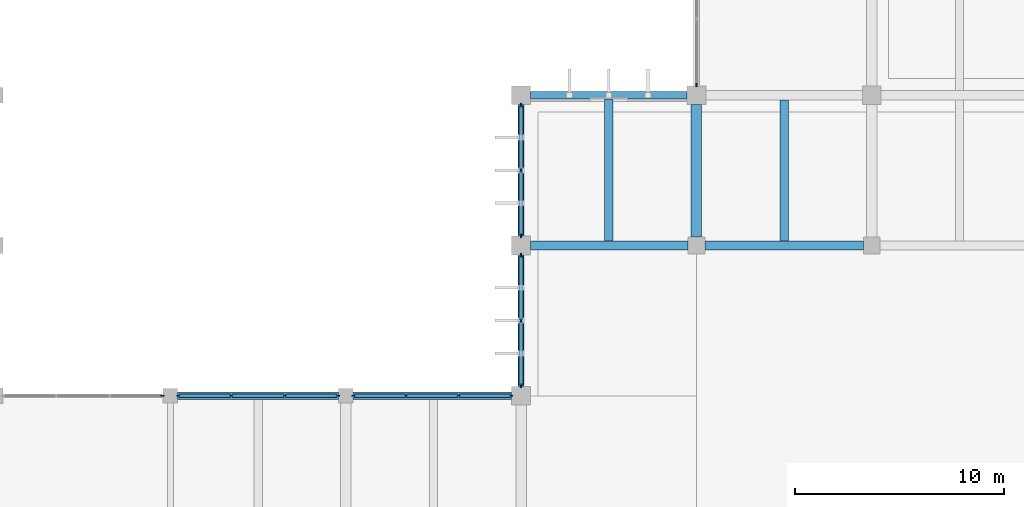
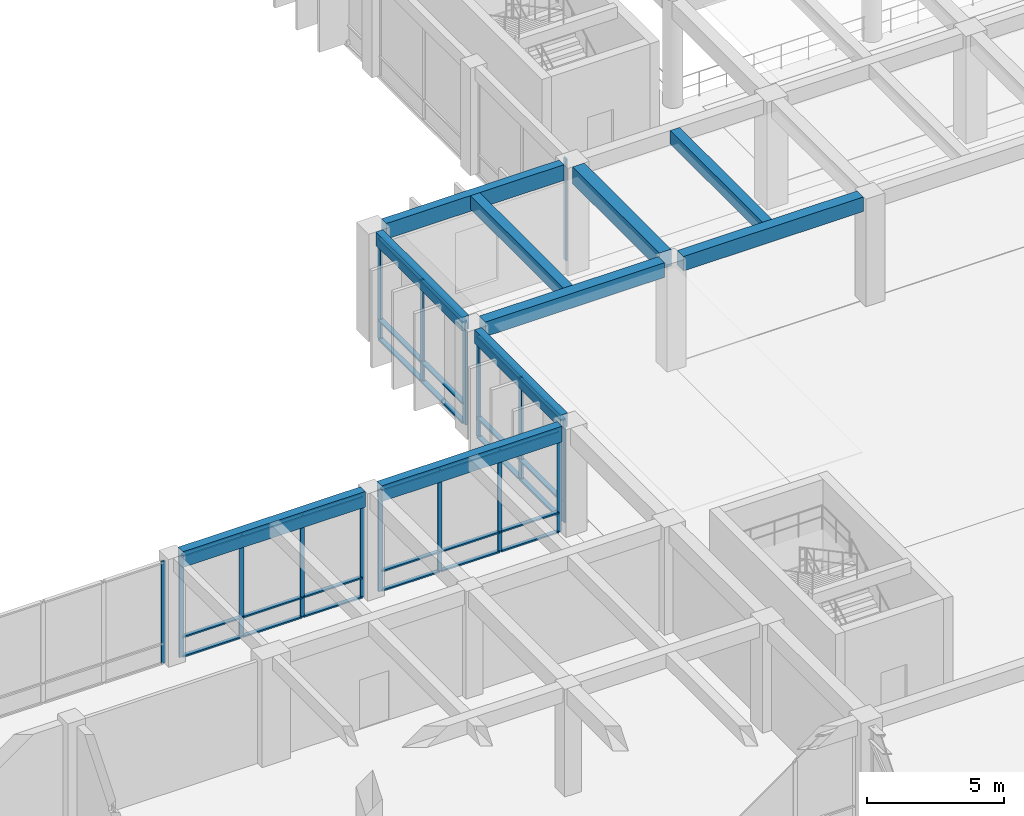
# One storey, part 9 of 51: 46 members, 10 beams, 6 elements without a shape of their own.
"""IFC4 building model written with IfcOpenShell, lengths in metres."""

from ifc_helpers import new_model, si_unit, direction, frame, origin, origin_2d, place, context, subcontext, project, spatial, rectangle, extrude, material, material_profile, profile_set, type_object, element, aggregate, save


model = new_model("IFC4")

# Units and contexts
model_context = context("Model", 3, precision=1e-05, world=origin(), true_north=direction((0.0, 1.0)))
body_context = subcontext(model_context, "Body", "Model", "MODEL_VIEW")
ifc_project = project(units=[si_unit("LENGTHUNIT", "METRE"), si_unit("AREAUNIT", "SQUARE_METRE"), si_unit("VOLUMEUNIT", "CUBIC_METRE"), si_unit("PLANEANGLEUNIT", "RADIAN"), si_unit("MASSUNIT", "GRAM", prefix="KILO")], contexts=[model_context])

# Site, building, storey
site_placement = place(None, origin())
site = spatial("IfcSite", under=ifc_project, at=site_placement, CompositionType="ELEMENT")
building_placement = place(site_placement, origin())
building = spatial("IfcBuilding", under=site, at=building_placement, Name="Kenerak Square Central Library", CompositionType="ELEMENT")
storey_placement = place(building_placement, frame((0.0, 0.0, 9.60009765625)))
storey = spatial("IfcBuildingStorey", under=building, at=storey_placement, Name="L02", CompositionType="ELEMENT", Elevation=9.60009765625)

# Beams
ifc_material_1 = material(Name="Concrete C40/50", Category="concrete")
ifc_material_profile_1 = material_profile(ifc_material_1, rectangle(XDim=0.300048828125, YDim=0.60009765625, at=origin_2d()), Name="RC 300x600")
ifc_profile_set_1 = profile_set([ifc_material_profile_1], Name="Concrete C40/50")
beam_type_1 = type_object("IfcBeamType", Name="Courtyard Spandrel Beam SP-02 RC 300x600 C40/50", PredefinedType="SPANDREL", material=ifc_profile_set_1)
beam_1_placement = place(storey_placement, frame((58.39990234375, 38.85009765625, 4.5), z_axis=(0.0, 1.0, 0.0), x_axis=(-1.0, 0.0, 0.0)))
element("IfcBeam", 1, at=beam_1_placement, inside=storey, type_object=beam_type_1, Name="Beam SP-02 L02 1282", PredefinedType="SPANDREL", context=body_context, shape_type="SweptSolid", body=[
    extrude(rectangle(XDim=0.300048828125, YDim=0.60009765625, at=origin_2d()), origin(), (0.0, 0.0, 1.0), 6.2998046875),
])
beam_2_placement = place(storey_placement, frame((58.39990234375, 46.050048828125, 4.5), z_axis=(0.0, 1.0, 0.0), x_axis=(-1.0, 0.0, 0.0)))
element("IfcBeam", 2, at=beam_2_placement, inside=storey, type_object=beam_type_1, Name="Beam SP-02 L02 1283", PredefinedType="SPANDREL", context=body_context, shape_type="SweptSolid", body=[
    extrude(rectangle(XDim=0.300048828125, YDim=0.60009765625, at=origin_2d()), origin(), (0.0, 0.0, 1.0), 6.300048828125),
])

# Curtain wall, member
ifc_material_2 = material(Name="Anodised aluminium and solar-control low-E glazing", Category="aluminium")
curtain_wall_type_1 = type_object("IfcCurtainWallType", Name="Curtain Wall CW-V6-76x45 7675x4550", PredefinedType="USERDEFINED", material=ifc_material_2)
curtain_wall_1_placement = place(storey_placement, origin())
curtain_wall_1 = element("IfcCurtainWall", 3, at=curtain_wall_1_placement, inside=storey, type_object=curtain_wall_type_1, Name="Curtain Wall CW-V6-76x45 L02 0072", ObjectType="CURTAIN WALL", PredefinedType="USERDEFINED")
ifc_material_3 = material(Name="Anodised aluminium 6063-T6", Category="aluminium")
ifc_material_profile_2 = material_profile(ifc_material_3, rectangle(XDim=0.06494140625, YDim=0.179931640625, at=origin_2d()), Name="AL MULLION 65x180")
ifc_profile_set_2 = profile_set([ifc_material_profile_2], Name="Anodised aluminium 6063-T6")
member_type_1 = type_object("IfcMemberType", Name="Curtain Mullion CM-01 65x180", PredefinedType="MULLION", material=ifc_profile_set_2)
member_1_placement = place(storey_placement, frame((41.217529296875, 38.39990234375, 0.0), z_axis=(0.0, 0.0, 1.0), x_axis=(0.0, 1.0, 0.0)))
member_1 = element("IfcMember", 4, at=member_1_placement, type_object=member_type_1, Name="CW-V6-76x45 Mullion 4", PredefinedType="MULLION", context=body_context, shape_type="SweptSolid", body=[
    extrude(rectangle(XDim=0.06494140625, YDim=0.179931640625, at=origin_2d()), origin(), (0.0, 0.0, 1.0), 4.5498046875),
])
aggregate(curtain_wall_1, [member_1])

# Curtain wall, members
curtain_wall_type_2 = type_object("IfcCurtainWallType", Name="Curtain Wall CW-V6-77x45 7700x4550", PredefinedType="USERDEFINED", material=ifc_material_2)
curtain_wall_2_placement = place(storey_placement, origin())
curtain_wall_2 = element("IfcCurtainWall", 5, at=curtain_wall_2_placement, inside=storey, type_object=curtain_wall_type_2, Name="Curtain Wall CW-V6-77x45 L02 0073", ObjectType="CURTAIN WALL", PredefinedType="USERDEFINED")
member_2_placement = place(storey_placement, frame((41.982421875, 38.39990234375, 0.0), z_axis=(0.0, 0.0, 1.0), x_axis=(0.0, 1.0, 0.0)))
member_2 = element("IfcMember", 6, at=member_2_placement, type_object=member_type_1, Name="CW-V6-77x45 Mullion 1", PredefinedType="MULLION", context=body_context, shape_type="SweptSolid", body=[
    extrude(rectangle(XDim=0.06494140625, YDim=0.179931640625, at=origin_2d()), origin(), (0.0, 0.0, 1.0), 4.5498046875),
])
member_3_placement = place(storey_placement, frame((44.5166015625, 38.39990234375, 0.0), z_axis=(0.0, 0.0, 1.0), x_axis=(0.0, 1.0, 0.0)))
member_3 = element("IfcMember", 7, at=member_3_placement, type_object=member_type_1, Name="CW-V6-77x45 Mullion 2", PredefinedType="MULLION", context=body_context, shape_type="SweptSolid", body=[
    extrude(rectangle(XDim=0.06494140625, YDim=0.179931640625, at=origin_2d()), origin(), (0.0, 0.0, 1.0), 4.5498046875),
])
member_4_placement = place(storey_placement, frame((47.083251953125, 38.39990234375, 0.0), z_axis=(0.0, 0.0, 1.0), x_axis=(0.0, 1.0, 0.0)))
member_4 = element("IfcMember", 8, at=member_4_placement, type_object=member_type_1, Name="CW-V6-77x45 Mullion 3", PredefinedType="MULLION", context=body_context, shape_type="SweptSolid", body=[
    extrude(rectangle(XDim=0.06494140625, YDim=0.179931640625, at=origin_2d()), origin(), (0.0, 0.0, 1.0), 4.5498046875),
])
member_5_placement = place(storey_placement, frame((49.617431640625, 38.39990234375, 0.0), z_axis=(0.0, 0.0, 1.0), x_axis=(0.0, 1.0, 0.0)))
member_5 = element("IfcMember", 9, at=member_5_placement, type_object=member_type_1, Name="CW-V6-77x45 Mullion 4", PredefinedType="MULLION", context=body_context, shape_type="SweptSolid", body=[
    extrude(rectangle(XDim=0.06494140625, YDim=0.179931640625, at=origin_2d()), origin(), (0.0, 0.0, 1.0), 4.5498046875),
])

curtain_wall_type_3 = type_object("IfcCurtainWallType", Name="Curtain Wall CW-V6-76x45 7600x4550", PredefinedType="USERDEFINED", material=ifc_material_2)
curtain_wall_3_placement = place(storey_placement, origin())
curtain_wall_3 = element("IfcCurtainWall", 10, at=curtain_wall_3_placement, inside=storey, type_object=curtain_wall_type_3, Name="Curtain Wall CW-V6-76x45 L02 0074", ObjectType="CURTAIN WALL", PredefinedType="USERDEFINED")
member_6_placement = place(storey_placement, frame((50.382568359375, 38.39990234375, 0.0), z_axis=(0.0, 0.0, 1.0), x_axis=(0.0, 1.0, 0.0)))
member_6 = element("IfcMember", 11, at=member_6_placement, type_object=member_type_1, Name="CW-V6-76x45 Mullion 1", PredefinedType="MULLION", context=body_context, shape_type="SweptSolid", body=[
    extrude(rectangle(XDim=0.06494140625, YDim=0.179931640625, at=origin_2d()), origin(), (0.0, 0.0, 1.0), 4.5498046875),
])
member_7_placement = place(storey_placement, frame((52.88330078125, 38.39990234375, 0.0), z_axis=(0.0, 0.0, 1.0), x_axis=(0.0, 1.0, 0.0)))
member_7 = element("IfcMember", 12, at=member_7_placement, type_object=member_type_1, Name="CW-V6-76x45 Mullion 2", PredefinedType="MULLION", context=body_context, shape_type="SweptSolid", body=[
    extrude(rectangle(XDim=0.06494140625, YDim=0.179931640625, at=origin_2d()), origin(), (0.0, 0.0, 1.0), 4.5498046875),
])
member_8_placement = place(storey_placement, frame((55.416748046875, 38.39990234375, 0.0), z_axis=(0.0, 0.0, 1.0), x_axis=(0.0, 1.0, 0.0)))
member_8 = element("IfcMember", 13, at=member_8_placement, type_object=member_type_1, Name="CW-V6-76x45 Mullion 3", PredefinedType="MULLION", context=body_context, shape_type="SweptSolid", body=[
    extrude(rectangle(XDim=0.06494140625, YDim=0.179931640625, at=origin_2d()), origin(), (0.0, 0.0, 1.0), 4.5498046875),
])
member_9_placement = place(storey_placement, frame((57.91748046875, 38.39990234375, 0.0), z_axis=(0.0, 0.0, 1.0), x_axis=(0.0, 1.0, 0.0)))
member_9 = element("IfcMember", 14, at=member_9_placement, type_object=member_type_1, Name="CW-V6-76x45 Mullion 4", PredefinedType="MULLION", context=body_context, shape_type="SweptSolid", body=[
    extrude(rectangle(XDim=0.06494140625, YDim=0.179931640625, at=origin_2d()), origin(), (0.0, 0.0, 1.0), 4.5498046875),
])

# Curtain wall, member
curtain_wall_type_4 = type_object("IfcCurtainWallType", Name="Curtain Wall CW-V4-64x45 6400x4550", PredefinedType="USERDEFINED", material=ifc_material_2)
curtain_wall_4_placement = place(storey_placement, origin())
curtain_wall_4 = element("IfcCurtainWall", 15, at=curtain_wall_4_placement, inside=storey, type_object=curtain_wall_type_4, Name="Curtain Wall CW-V4-64x45 L02 0077", ObjectType="CURTAIN WALL", PredefinedType="USERDEFINED")
member_10_placement = place(storey_placement, frame((66.800048828125, 53.282470703125, 0.0), z_axis=(0.0, 0.0, 1.0), x_axis=(-1.0, 0.0, 0.0)))
member_10 = element("IfcMember", 16, at=member_10_placement, type_object=member_type_1, Name="CW-V4-64x45 Mullion 1", PredefinedType="MULLION", context=body_context, shape_type="SweptSolid", body=[
    extrude(rectangle(XDim=0.06494140625, YDim=0.179931640625, at=origin_2d()), origin(), (0.0, 0.0, 1.0), 4.5498046875),
])
aggregate(curtain_wall_4, [member_10])

# Curtain wall, members
curtain_wall_type_5 = type_object("IfcCurtainWallType", Name="Curtain Wall CW-V1-63x45 6300x4550", PredefinedType="USERDEFINED", material=ifc_material_2)
curtain_wall_5_placement = place(storey_placement, origin())
curtain_wall_5 = element("IfcCurtainWall", 17, at=curtain_wall_5_placement, inside=storey, type_object=curtain_wall_type_5, Name="Curtain Wall CW-V1-63x45 L02 0075", ObjectType="CURTAIN WALL", PredefinedType="USERDEFINED")
ifc_material_profile_3 = material_profile(ifc_material_3, rectangle(XDim=0.074951171875, YDim=0.219970703125, at=origin_2d()), Name="AL MULLION 75x220")
ifc_profile_set_3 = profile_set([ifc_material_profile_3], Name="Anodised aluminium 6063-T6")
member_type_2 = type_object("IfcMemberType", Name="Curtain Mullion CM-02 75x220", PredefinedType="MULLION", material=ifc_profile_set_3)
member_11_placement = place(storey_placement, frame((58.39990234375, 38.887451171875, 0.0), z_axis=(0.0, 0.0, 1.0), x_axis=(-1.0, 0.0, 0.0)))
member_11 = element("IfcMember", 18, at=member_11_placement, type_object=member_type_2, Name="CW-V1-63x45 Mullion 1", PredefinedType="MULLION", context=body_context, shape_type="SweptSolid", body=[
    extrude(rectangle(XDim=0.074951171875, YDim=0.219970703125, at=origin_2d()), origin(), (0.0, 0.0, 1.0), 4.5498046875),
])
member_12_placement = place(storey_placement, frame((58.39990234375, 42.0, 0.0), z_axis=(0.0, 0.0, 1.0), x_axis=(-1.0, 0.0, 0.0)))
member_12 = element("IfcMember", 19, at=member_12_placement, type_object=member_type_2, Name="CW-V1-63x45 Mullion 2", PredefinedType="MULLION", context=body_context, shape_type="SweptSolid", body=[
    extrude(rectangle(XDim=0.074951171875, YDim=0.219970703125, at=origin_2d()), origin(), (0.0, 0.0, 1.0), 4.5498046875),
])
member_13_placement = place(storey_placement, frame((58.39990234375, 45.112548828125, 0.0), z_axis=(0.0, 0.0, 1.0), x_axis=(-1.0, 0.0, 0.0)))
member_13 = element("IfcMember", 20, at=member_13_placement, type_object=member_type_2, Name="CW-V1-63x45 Mullion 3", PredefinedType="MULLION", context=body_context, shape_type="SweptSolid", body=[
    extrude(rectangle(XDim=0.074951171875, YDim=0.219970703125, at=origin_2d()), origin(), (0.0, 0.0, 1.0), 4.5498046875),
])

curtain_wall_6_placement = place(storey_placement, origin())
curtain_wall_6 = element("IfcCurtainWall", 21, at=curtain_wall_6_placement, inside=storey, type_object=curtain_wall_type_5, Name="Curtain Wall CW-V1-63x45 L02 0076", ObjectType="CURTAIN WALL", PredefinedType="USERDEFINED")
member_14_placement = place(storey_placement, frame((58.39990234375, 46.08740234375, 0.0), z_axis=(0.0, 0.0, 1.0), x_axis=(-1.0, 0.0, 0.0)))
member_14 = element("IfcMember", 22, at=member_14_placement, type_object=member_type_2, Name="CW-V1-63x45 Mullion 1", PredefinedType="MULLION", context=body_context, shape_type="SweptSolid", body=[
    extrude(rectangle(XDim=0.074951171875, YDim=0.219970703125, at=origin_2d()), origin(), (0.0, 0.0, 1.0), 4.5498046875),
])
member_15_placement = place(storey_placement, frame((58.39990234375, 49.199951171875, 0.0), z_axis=(0.0, 0.0, 1.0), x_axis=(-1.0, 0.0, 0.0)))
member_15 = element("IfcMember", 23, at=member_15_placement, type_object=member_type_2, Name="CW-V1-63x45 Mullion 2", PredefinedType="MULLION", context=body_context, shape_type="SweptSolid", body=[
    extrude(rectangle(XDim=0.074951171875, YDim=0.219970703125, at=origin_2d()), origin(), (0.0, 0.0, 1.0), 4.5498046875),
])
member_16_placement = place(storey_placement, frame((58.39990234375, 52.3125, 0.0), z_axis=(0.0, 0.0, 1.0), x_axis=(-1.0, 0.0, 0.0)))
member_16 = element("IfcMember", 24, at=member_16_placement, type_object=member_type_2, Name="CW-V1-63x45 Mullion 3", PredefinedType="MULLION", context=body_context, shape_type="SweptSolid", body=[
    extrude(rectangle(XDim=0.074951171875, YDim=0.219970703125, at=origin_2d()), origin(), (0.0, 0.0, 1.0), 4.5498046875),
])

# Member
ifc_material_profile_4 = material_profile(ifc_material_3, rectangle(XDim=0.159912109375, YDim=0.06494140625, at=origin_2d()), Name="AL TRANSOM 160x65")
ifc_profile_set_4 = profile_set([ifc_material_profile_4], Name="Anodised aluminium 6063-T6")
member_type_3 = type_object("IfcMemberType", Name="Curtain Transom CT-11 160x65", PredefinedType="USERDEFINED", material=ifc_profile_set_4)
member_17_placement = place(storey_placement, frame((42.014892578125, 38.39990234375, 0.032470703125), z_axis=(1.0, 0.0, 0.0), x_axis=(0.0, 1.0, 0.0)))
member_17 = element("IfcMember", 25, at=member_17_placement, type_object=member_type_3, Name="CW-V6-77x45 Transom 1.1", ObjectType="TRANSOM", PredefinedType="USERDEFINED", context=body_context, shape_type="SweptSolid", body=[
    extrude(rectangle(XDim=0.159912109375, YDim=0.06494140625, at=origin_2d()), origin(), (0.0, 0.0, 1.0), 2.46923828125),
])

member_18_placement = place(storey_placement, frame((42.014892578125, 38.39990234375, 0.89990234375), z_axis=(1.0, 0.0, 0.0), x_axis=(0.0, 1.0, 0.0)))
member_18 = element("IfcMember", 26, at=member_18_placement, type_object=member_type_3, Name="CW-V6-77x45 Transom 1.2", ObjectType="TRANSOM", PredefinedType="USERDEFINED", context=body_context, shape_type="SweptSolid", body=[
    extrude(rectangle(XDim=0.159912109375, YDim=0.06494140625, at=origin_2d()), origin(), (0.0, 0.0, 1.0), 2.46923828125),
])

member_19_placement = place(storey_placement, frame((42.014892578125, 38.39990234375, 4.517333984375), z_axis=(1.0, 0.0, 0.0), x_axis=(0.0, 1.0, 0.0)))
member_19 = element("IfcMember", 27, at=member_19_placement, type_object=member_type_3, Name="CW-V6-77x45 Transom 1.3", ObjectType="TRANSOM", PredefinedType="USERDEFINED", context=body_context, shape_type="SweptSolid", body=[
    extrude(rectangle(XDim=0.159912109375, YDim=0.06494140625, at=origin_2d()), origin(), (0.0, 0.0, 1.0), 2.46923828125),
])

member_20_placement = place(storey_placement, frame((44.549072265625, 38.39990234375, 0.032470703125), z_axis=(1.0, 0.0, 0.0), x_axis=(0.0, 1.0, 0.0)))
member_20 = element("IfcMember", 28, at=member_20_placement, type_object=member_type_3, Name="CW-V6-77x45 Transom 2.1", ObjectType="TRANSOM", PredefinedType="USERDEFINED", context=body_context, shape_type="SweptSolid", body=[
    extrude(rectangle(XDim=0.159912109375, YDim=0.06494140625, at=origin_2d()), origin(), (0.0, 0.0, 1.0), 2.501708984375),
])

member_21_placement = place(storey_placement, frame((44.549072265625, 38.39990234375, 0.89990234375), z_axis=(1.0, 0.0, 0.0), x_axis=(0.0, 1.0, 0.0)))
member_21 = element("IfcMember", 29, at=member_21_placement, type_object=member_type_3, Name="CW-V6-77x45 Transom 2.2", ObjectType="TRANSOM", PredefinedType="USERDEFINED", context=body_context, shape_type="SweptSolid", body=[
    extrude(rectangle(XDim=0.159912109375, YDim=0.06494140625, at=origin_2d()), origin(), (0.0, 0.0, 1.0), 2.501708984375),
])

member_22_placement = place(storey_placement, frame((44.549072265625, 38.39990234375, 4.517333984375), z_axis=(1.0, 0.0, 0.0), x_axis=(0.0, 1.0, 0.0)))
member_22 = element("IfcMember", 30, at=member_22_placement, type_object=member_type_3, Name="CW-V6-77x45 Transom 2.3", ObjectType="TRANSOM", PredefinedType="USERDEFINED", context=body_context, shape_type="SweptSolid", body=[
    extrude(rectangle(XDim=0.159912109375, YDim=0.06494140625, at=origin_2d()), origin(), (0.0, 0.0, 1.0), 2.501708984375),
])

member_23_placement = place(storey_placement, frame((47.11572265625, 38.39990234375, 0.032470703125), z_axis=(1.0, 0.0, 0.0), x_axis=(0.0, 1.0, 0.0)))
member_23 = element("IfcMember", 31, at=member_23_placement, type_object=member_type_3, Name="CW-V6-77x45 Transom 3.1", ObjectType="TRANSOM", PredefinedType="USERDEFINED", context=body_context, shape_type="SweptSolid", body=[
    extrude(rectangle(XDim=0.159912109375, YDim=0.06494140625, at=origin_2d()), origin(), (0.0, 0.0, 1.0), 2.46923828125),
])

member_24_placement = place(storey_placement, frame((47.11572265625, 38.39990234375, 0.89990234375), z_axis=(1.0, 0.0, 0.0), x_axis=(0.0, 1.0, 0.0)))
member_24 = element("IfcMember", 32, at=member_24_placement, type_object=member_type_3, Name="CW-V6-77x45 Transom 3.2", ObjectType="TRANSOM", PredefinedType="USERDEFINED", context=body_context, shape_type="SweptSolid", body=[
    extrude(rectangle(XDim=0.159912109375, YDim=0.06494140625, at=origin_2d()), origin(), (0.0, 0.0, 1.0), 2.46923828125),
])

member_25_placement = place(storey_placement, frame((47.11572265625, 38.39990234375, 4.517333984375), z_axis=(1.0, 0.0, 0.0), x_axis=(0.0, 1.0, 0.0)))
member_25 = element("IfcMember", 33, at=member_25_placement, type_object=member_type_3, Name="CW-V6-77x45 Transom 3.3", ObjectType="TRANSOM", PredefinedType="USERDEFINED", context=body_context, shape_type="SweptSolid", body=[
    extrude(rectangle(XDim=0.159912109375, YDim=0.06494140625, at=origin_2d()), origin(), (0.0, 0.0, 1.0), 2.46923828125),
])

aggregate(curtain_wall_2, [member_2, member_3, member_4, member_5, member_17, member_18, member_19, member_20, member_21, member_22, member_23, member_24, member_25])

member_26_placement = place(storey_placement, frame((50.4150390625, 38.39990234375, 0.032470703125), z_axis=(1.0, 0.0, 0.0), x_axis=(0.0, 1.0, 0.0)))
member_26 = element("IfcMember", 34, at=member_26_placement, type_object=member_type_3, Name="CW-V6-76x45 Transom 1.1", ObjectType="TRANSOM", PredefinedType="USERDEFINED", context=body_context, shape_type="SweptSolid", body=[
    extrude(rectangle(XDim=0.159912109375, YDim=0.06494140625, at=origin_2d()), origin(), (0.0, 0.0, 1.0), 2.435791015625),
])

member_27_placement = place(storey_placement, frame((50.4150390625, 38.39990234375, 0.89990234375), z_axis=(1.0, 0.0, 0.0), x_axis=(0.0, 1.0, 0.0)))
member_27 = element("IfcMember", 35, at=member_27_placement, type_object=member_type_3, Name="CW-V6-76x45 Transom 1.2", ObjectType="TRANSOM", PredefinedType="USERDEFINED", context=body_context, shape_type="SweptSolid", body=[
    extrude(rectangle(XDim=0.159912109375, YDim=0.06494140625, at=origin_2d()), origin(), (0.0, 0.0, 1.0), 2.435791015625),
])

member_28_placement = place(storey_placement, frame((50.4150390625, 38.39990234375, 4.517333984375), z_axis=(1.0, 0.0, 0.0), x_axis=(0.0, 1.0, 0.0)))
member_28 = element("IfcMember", 36, at=member_28_placement, type_object=member_type_3, Name="CW-V6-76x45 Transom 1.3", ObjectType="TRANSOM", PredefinedType="USERDEFINED", context=body_context, shape_type="SweptSolid", body=[
    extrude(rectangle(XDim=0.159912109375, YDim=0.06494140625, at=origin_2d()), origin(), (0.0, 0.0, 1.0), 2.435791015625),
])

member_29_placement = place(storey_placement, frame((52.915771484375, 38.39990234375, 0.032470703125), z_axis=(1.0, 0.0, 0.0), x_axis=(0.0, 1.0, 0.0)))
member_29 = element("IfcMember", 37, at=member_29_placement, type_object=member_type_3, Name="CW-V6-76x45 Transom 2.1", ObjectType="TRANSOM", PredefinedType="USERDEFINED", context=body_context, shape_type="SweptSolid", body=[
    extrude(rectangle(XDim=0.159912109375, YDim=0.06494140625, at=origin_2d()), origin(), (0.0, 0.0, 1.0), 2.468505859375),
])

member_30_placement = place(storey_placement, frame((52.915771484375, 38.39990234375, 0.89990234375), z_axis=(1.0, 0.0, 0.0), x_axis=(0.0, 1.0, 0.0)))
member_30 = element("IfcMember", 38, at=member_30_placement, type_object=member_type_3, Name="CW-V6-76x45 Transom 2.2", ObjectType="TRANSOM", PredefinedType="USERDEFINED", context=body_context, shape_type="SweptSolid", body=[
    extrude(rectangle(XDim=0.159912109375, YDim=0.06494140625, at=origin_2d()), origin(), (0.0, 0.0, 1.0), 2.468505859375),
])

member_31_placement = place(storey_placement, frame((52.915771484375, 38.39990234375, 4.517333984375), z_axis=(1.0, 0.0, 0.0), x_axis=(0.0, 1.0, 0.0)))
member_31 = element("IfcMember", 39, at=member_31_placement, type_object=member_type_3, Name="CW-V6-76x45 Transom 2.3", ObjectType="TRANSOM", PredefinedType="USERDEFINED", context=body_context, shape_type="SweptSolid", body=[
    extrude(rectangle(XDim=0.159912109375, YDim=0.06494140625, at=origin_2d()), origin(), (0.0, 0.0, 1.0), 2.468505859375),
])

member_32_placement = place(storey_placement, frame((55.44921875, 38.39990234375, 0.032470703125), z_axis=(1.0, 0.0, 0.0), x_axis=(0.0, 1.0, 0.0)))
member_32 = element("IfcMember", 40, at=member_32_placement, type_object=member_type_3, Name="CW-V6-76x45 Transom 3.1", ObjectType="TRANSOM", PredefinedType="USERDEFINED", context=body_context, shape_type="SweptSolid", body=[
    extrude(rectangle(XDim=0.159912109375, YDim=0.06494140625, at=origin_2d()), origin(), (0.0, 0.0, 1.0), 2.435791015625),
])

member_33_placement = place(storey_placement, frame((55.44921875, 38.39990234375, 0.89990234375), z_axis=(1.0, 0.0, 0.0), x_axis=(0.0, 1.0, 0.0)))
member_33 = element("IfcMember", 41, at=member_33_placement, type_object=member_type_3, Name="CW-V6-76x45 Transom 3.2", ObjectType="TRANSOM", PredefinedType="USERDEFINED", context=body_context, shape_type="SweptSolid", body=[
    extrude(rectangle(XDim=0.159912109375, YDim=0.06494140625, at=origin_2d()), origin(), (0.0, 0.0, 1.0), 2.435791015625),
])

member_34_placement = place(storey_placement, frame((55.44921875, 38.39990234375, 4.517333984375), z_axis=(1.0, 0.0, 0.0), x_axis=(0.0, 1.0, 0.0)))
member_34 = element("IfcMember", 42, at=member_34_placement, type_object=member_type_3, Name="CW-V6-76x45 Transom 3.3", ObjectType="TRANSOM", PredefinedType="USERDEFINED", context=body_context, shape_type="SweptSolid", body=[
    extrude(rectangle(XDim=0.159912109375, YDim=0.06494140625, at=origin_2d()), origin(), (0.0, 0.0, 1.0), 2.435791015625),
])

aggregate(curtain_wall_3, [member_6, member_7, member_8, member_9, member_26, member_27, member_28, member_29, member_30, member_31, member_32, member_33, member_34])

ifc_material_profile_5 = material_profile(ifc_material_3, rectangle(XDim=0.199951171875, YDim=0.074951171875, at=origin_2d()), Name="AL TRANSOM 200x75")
ifc_profile_set_5 = profile_set([ifc_material_profile_5], Name="Anodised aluminium 6063-T6")
member_type_4 = type_object("IfcMemberType", Name="Curtain Transom CT-12 200x75", PredefinedType="USERDEFINED", material=ifc_profile_set_5)
member_35_placement = place(storey_placement, frame((58.39990234375, 38.925048828125, 0.037353515625), z_axis=(0.0, 1.0, 0.0), x_axis=(-1.0, 0.0, 0.0)))
member_35 = element("IfcMember", 43, at=member_35_placement, type_object=member_type_4, Name="CW-V1-63x45 Transom 1.1", ObjectType="TRANSOM", PredefinedType="USERDEFINED", context=body_context, shape_type="SweptSolid", body=[
    extrude(rectangle(XDim=0.199951171875, YDim=0.074951171875, at=origin_2d()), origin(), (0.0, 0.0, 1.0), 3.037353515625),
])

member_36_placement = place(storey_placement, frame((58.39990234375, 38.925048828125, 0.89990234375), z_axis=(0.0, 1.0, 0.0), x_axis=(-1.0, 0.0, 0.0)))
member_36 = element("IfcMember", 44, at=member_36_placement, type_object=member_type_4, Name="CW-V1-63x45 Transom 1.2", ObjectType="TRANSOM", PredefinedType="USERDEFINED", context=body_context, shape_type="SweptSolid", body=[
    extrude(rectangle(XDim=0.199951171875, YDim=0.074951171875, at=origin_2d()), origin(), (0.0, 0.0, 1.0), 3.037353515625),
])

member_37_placement = place(storey_placement, frame((58.39990234375, 38.925048828125, 4.512451171875), z_axis=(0.0, 1.0, 0.0), x_axis=(-1.0, 0.0, 0.0)))
member_37 = element("IfcMember", 45, at=member_37_placement, type_object=member_type_4, Name="CW-V1-63x45 Transom 1.3", ObjectType="TRANSOM", PredefinedType="USERDEFINED", context=body_context, shape_type="SweptSolid", body=[
    extrude(rectangle(XDim=0.199951171875, YDim=0.074951171875, at=origin_2d()), origin(), (0.0, 0.0, 1.0), 3.037353515625),
])

member_38_placement = place(storey_placement, frame((58.39990234375, 42.03759765625, 0.037353515625), z_axis=(0.0, 1.0, 0.0), x_axis=(-1.0, 0.0, 0.0)))
member_38 = element("IfcMember", 46, at=member_38_placement, type_object=member_type_4, Name="CW-V1-63x45 Transom 2.1", ObjectType="TRANSOM", PredefinedType="USERDEFINED", context=body_context, shape_type="SweptSolid", body=[
    extrude(rectangle(XDim=0.199951171875, YDim=0.074951171875, at=origin_2d()), origin(), (0.0, 0.0, 1.0), 3.037353515625),
])

member_39_placement = place(storey_placement, frame((58.39990234375, 42.03759765625, 0.89990234375), z_axis=(0.0, 1.0, 0.0), x_axis=(-1.0, 0.0, 0.0)))
member_39 = element("IfcMember", 47, at=member_39_placement, type_object=member_type_4, Name="CW-V1-63x45 Transom 2.2", ObjectType="TRANSOM", PredefinedType="USERDEFINED", context=body_context, shape_type="SweptSolid", body=[
    extrude(rectangle(XDim=0.199951171875, YDim=0.074951171875, at=origin_2d()), origin(), (0.0, 0.0, 1.0), 3.037353515625),
])

member_40_placement = place(storey_placement, frame((58.39990234375, 42.03759765625, 4.512451171875), z_axis=(0.0, 1.0, 0.0), x_axis=(-1.0, 0.0, 0.0)))
member_40 = element("IfcMember", 48, at=member_40_placement, type_object=member_type_4, Name="CW-V1-63x45 Transom 2.3", ObjectType="TRANSOM", PredefinedType="USERDEFINED", context=body_context, shape_type="SweptSolid", body=[
    extrude(rectangle(XDim=0.199951171875, YDim=0.074951171875, at=origin_2d()), origin(), (0.0, 0.0, 1.0), 3.037353515625),
])

aggregate(curtain_wall_5, [member_11, member_12, member_13, member_35, member_36, member_37, member_38, member_39, member_40])

member_41_placement = place(storey_placement, frame((58.39990234375, 46.125, 0.037353515625), z_axis=(0.0, 1.0, 0.0), x_axis=(-1.0, 0.0, 0.0)))
member_41 = element("IfcMember", 49, at=member_41_placement, type_object=member_type_4, Name="CW-V1-63x45 Transom 1.1", ObjectType="TRANSOM", PredefinedType="USERDEFINED", context=body_context, shape_type="SweptSolid", body=[
    extrude(rectangle(XDim=0.199951171875, YDim=0.074951171875, at=origin_2d()), origin(), (0.0, 0.0, 1.0), 3.03759765625),
])

member_42_placement = place(storey_placement, frame((58.39990234375, 46.125, 0.89990234375), z_axis=(0.0, 1.0, 0.0), x_axis=(-1.0, 0.0, 0.0)))
member_42 = element("IfcMember", 50, at=member_42_placement, type_object=member_type_4, Name="CW-V1-63x45 Transom 1.2", ObjectType="TRANSOM", PredefinedType="USERDEFINED", context=body_context, shape_type="SweptSolid", body=[
    extrude(rectangle(XDim=0.199951171875, YDim=0.074951171875, at=origin_2d()), origin(), (0.0, 0.0, 1.0), 3.03759765625),
])

member_43_placement = place(storey_placement, frame((58.39990234375, 46.125, 4.512451171875), z_axis=(0.0, 1.0, 0.0), x_axis=(-1.0, 0.0, 0.0)))
member_43 = element("IfcMember", 51, at=member_43_placement, type_object=member_type_4, Name="CW-V1-63x45 Transom 1.3", ObjectType="TRANSOM", PredefinedType="USERDEFINED", context=body_context, shape_type="SweptSolid", body=[
    extrude(rectangle(XDim=0.199951171875, YDim=0.074951171875, at=origin_2d()), origin(), (0.0, 0.0, 1.0), 3.03759765625),
])

member_44_placement = place(storey_placement, frame((58.39990234375, 49.237548828125, 0.037353515625), z_axis=(0.0, 1.0, 0.0), x_axis=(-1.0, 0.0, 0.0)))
member_44 = element("IfcMember", 52, at=member_44_placement, type_object=member_type_4, Name="CW-V1-63x45 Transom 2.1", ObjectType="TRANSOM", PredefinedType="USERDEFINED", context=body_context, shape_type="SweptSolid", body=[
    extrude(rectangle(XDim=0.199951171875, YDim=0.074951171875, at=origin_2d()), origin(), (0.0, 0.0, 1.0), 3.037353515625),
])

member_45_placement = place(storey_placement, frame((58.39990234375, 49.237548828125, 0.89990234375), z_axis=(0.0, 1.0, 0.0), x_axis=(-1.0, 0.0, 0.0)))
member_45 = element("IfcMember", 53, at=member_45_placement, type_object=member_type_4, Name="CW-V1-63x45 Transom 2.2", ObjectType="TRANSOM", PredefinedType="USERDEFINED", context=body_context, shape_type="SweptSolid", body=[
    extrude(rectangle(XDim=0.199951171875, YDim=0.074951171875, at=origin_2d()), origin(), (0.0, 0.0, 1.0), 3.037353515625),
])

member_46_placement = place(storey_placement, frame((58.39990234375, 49.237548828125, 4.512451171875), z_axis=(0.0, 1.0, 0.0), x_axis=(-1.0, 0.0, 0.0)))
member_46 = element("IfcMember", 54, at=member_46_placement, type_object=member_type_4, Name="CW-V1-63x45 Transom 2.3", ObjectType="TRANSOM", PredefinedType="USERDEFINED", context=body_context, shape_type="SweptSolid", body=[
    extrude(rectangle(XDim=0.199951171875, YDim=0.074951171875, at=origin_2d()), origin(), (0.0, 0.0, 1.0), 3.037353515625),
])

aggregate(curtain_wall_6, [member_14, member_15, member_16, member_41, member_42, member_43, member_44, member_45, member_46])

# Beams
ifc_material_profile_6 = material_profile(ifc_material_1, rectangle(XDim=0.35009765625, YDim=0.699951171875, at=origin_2d()), Name="RC 350x700")
ifc_profile_set_6 = profile_set([ifc_material_profile_6], Name="Concrete C40/50")
beam_type_2 = type_object("IfcBeamType", Name="Expressed Spandrel Beam SP-01 RC 350x700 C40/50", PredefinedType="SPANDREL", material=ifc_profile_set_6)
beam_3_placement = place(storey_placement, frame((41.949951171875, 38.39990234375, 4.449951171875), z_axis=(1.0, 0.0, 0.0), x_axis=(0.0, 1.0, 0.0)))
element("IfcBeam", 55, at=beam_3_placement, inside=storey, type_object=beam_type_2, Name="Beam SP-01 L02 1207", PredefinedType="SPANDREL", context=body_context, shape_type="SweptSolid", body=[
    extrude(rectangle(XDim=0.35009765625, YDim=0.699951171875, at=origin_2d()), origin(), (0.0, 0.0, 1.0), 7.699951171875),
])
beam_4_placement = place(storey_placement, frame((50.35009765625, 38.39990234375, 4.449951171875), z_axis=(1.0, 0.0, 0.0), x_axis=(0.0, 1.0, 0.0)))
element("IfcBeam", 56, at=beam_4_placement, inside=storey, type_object=beam_type_2, Name="Beam SP-01 L02 1208", PredefinedType="SPANDREL", context=body_context, shape_type="SweptSolid", body=[
    extrude(rectangle(XDim=0.35009765625, YDim=0.699951171875, at=origin_2d()), origin(), (0.0, 0.0, 1.0), 7.599853515625),
])
beam_5_placement = place(storey_placement, frame((58.85009765625, 52.800048828125, 4.449951171875), z_axis=(1.0, 0.0, 0.0), x_axis=(0.0, 1.0, 0.0)))
element("IfcBeam", 57, at=beam_5_placement, inside=storey, type_object=beam_type_2, Name="Beam SP-01 L02 1218", PredefinedType="SPANDREL", context=body_context, shape_type="SweptSolid", body=[
    extrude(rectangle(XDim=0.35009765625, YDim=0.699951171875, at=origin_2d()), origin(), (0.0, 0.0, 1.0), 7.5),
])
ifc_material_profile_7 = material_profile(ifc_material_1, rectangle(XDim=0.449951171875, YDim=0.64990234375, at=origin_2d()), Name="RC 450x650")
ifc_profile_set_7 = profile_set([ifc_material_profile_7], Name="Concrete C40/50")
beam_type_3 = type_object("IfcBeamType", Name="Mezzanine Frame Beam B-06 RC 450x650 C40/50", PredefinedType="BEAM", material=ifc_profile_set_7)
beam_6_placement = place(storey_placement, frame((58.85009765625, 45.60009765625, 4.474853515625), z_axis=(1.0, 0.0, 0.0), x_axis=(0.0, 1.0, 0.0)))
element("IfcBeam", 58, at=beam_6_placement, inside=storey, type_object=beam_type_3, Name="Beam B-06 L02 1211", PredefinedType="BEAM", context=body_context, shape_type="SweptSolid", body=[
    extrude(rectangle(XDim=0.449951171875, YDim=0.64990234375, at=origin_2d()), origin(), (0.0, 0.0, 1.0), 7.5498046875),
])
beam_7_placement = place(storey_placement, frame((67.199951171875, 45.60009765625, 4.474853515625), z_axis=(1.0, 0.0, 0.0), x_axis=(0.0, 1.0, 0.0)))
element("IfcBeam", 59, at=beam_7_placement, inside=storey, type_object=beam_type_3, Name="Beam B-06 L02 1212", PredefinedType="BEAM", context=body_context, shape_type="SweptSolid", body=[
    extrude(rectangle(XDim=0.449951171875, YDim=0.64990234375, at=origin_2d()), origin(), (0.0, 0.0, 1.0), 7.60009765625),
])
ifc_material_profile_8 = material_profile(ifc_material_1, rectangle(XDim=0.39990234375, YDim=0.60009765625, at=origin_2d()), Name="RC 400x600")
ifc_profile_set_8 = profile_set([ifc_material_profile_8], Name="Concrete C40/50")
beam_type_4 = type_object("IfcBeamType", Name="Secondary Floor Joist J-01 RC 400x600 C40/50", PredefinedType="JOIST", material=ifc_profile_set_8)
beam_8_placement = place(storey_placement, frame((62.60009765625, 45.824951171875, 4.5), z_axis=(0.0, 1.0, 0.0), x_axis=(-1.0, 0.0, 0.0)))
element("IfcBeam", 60, at=beam_8_placement, inside=storey, type_object=beam_type_4, Name="Joist J-01 L02 1371", PredefinedType="JOIST", context=body_context, shape_type="SweptSolid", body=[
    extrude(rectangle(XDim=0.39990234375, YDim=0.60009765625, at=origin_2d()), origin(), (0.0, 0.0, 1.0), 6.800048828125),
])
beam_9_placement = place(storey_placement, frame((71.0, 45.824951171875, 4.5), z_axis=(0.0, 1.0, 0.0), x_axis=(-1.0, 0.0, 0.0)))
element("IfcBeam", 61, at=beam_9_placement, inside=storey, type_object=beam_type_4, Name="Joist J-01 L02 1373", PredefinedType="JOIST", context=body_context, shape_type="SweptSolid", body=[
    extrude(rectangle(XDim=0.39990234375, YDim=0.60009765625, at=origin_2d()), origin(), (0.0, 0.0, 1.0), 6.75),
])
ifc_material_profile_9 = material_profile(ifc_material_1, rectangle(XDim=0.5, YDim=0.75, at=origin_2d()), Name="RC 500x750")
ifc_profile_set_9 = profile_set([ifc_material_profile_9], Name="Concrete C40/50")
beam_type_5 = type_object("IfcBeamType", Name="Transverse Frame Beam B-05 RC 500x750 C40/50", PredefinedType="BEAM", material=ifc_profile_set_9)
beam_10_placement = place(storey_placement, frame((66.800048828125, 46.0, 4.4248046875), z_axis=(0.0, 1.0, 0.0), x_axis=(-1.0, 0.0, 0.0)))
element("IfcBeam", 62, at=beam_10_placement, inside=storey, type_object=beam_type_5, Name="Beam B-05 L02 1287", PredefinedType="BEAM", context=body_context, shape_type="SweptSolid", body=[
    extrude(rectangle(XDim=0.5, YDim=0.75, at=origin_2d()), origin(), (0.0, 0.0, 1.0), 6.35009765625),
])

save(model, "model.ifc")
